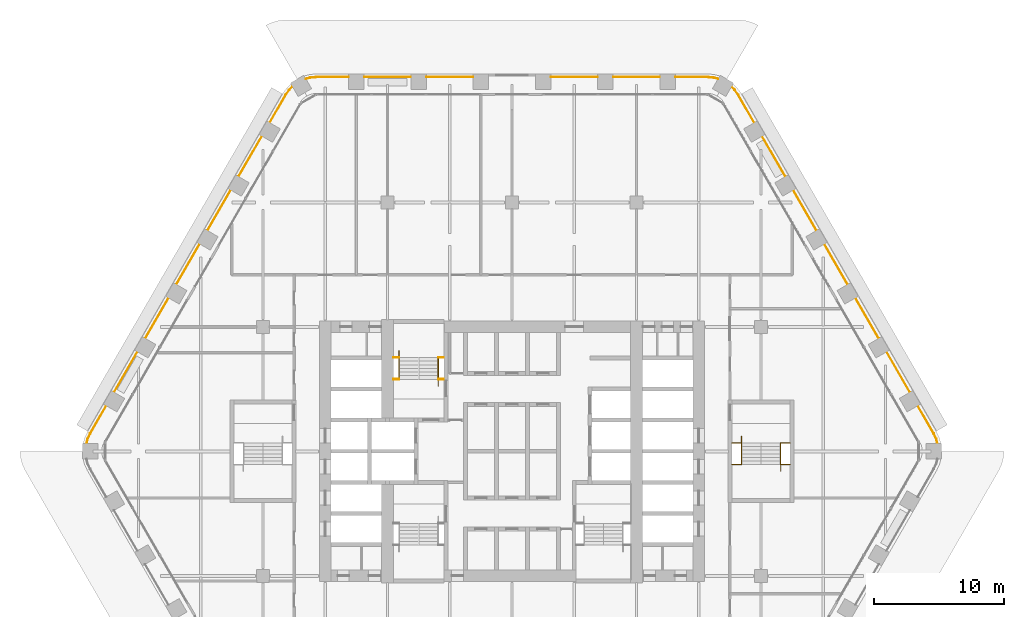
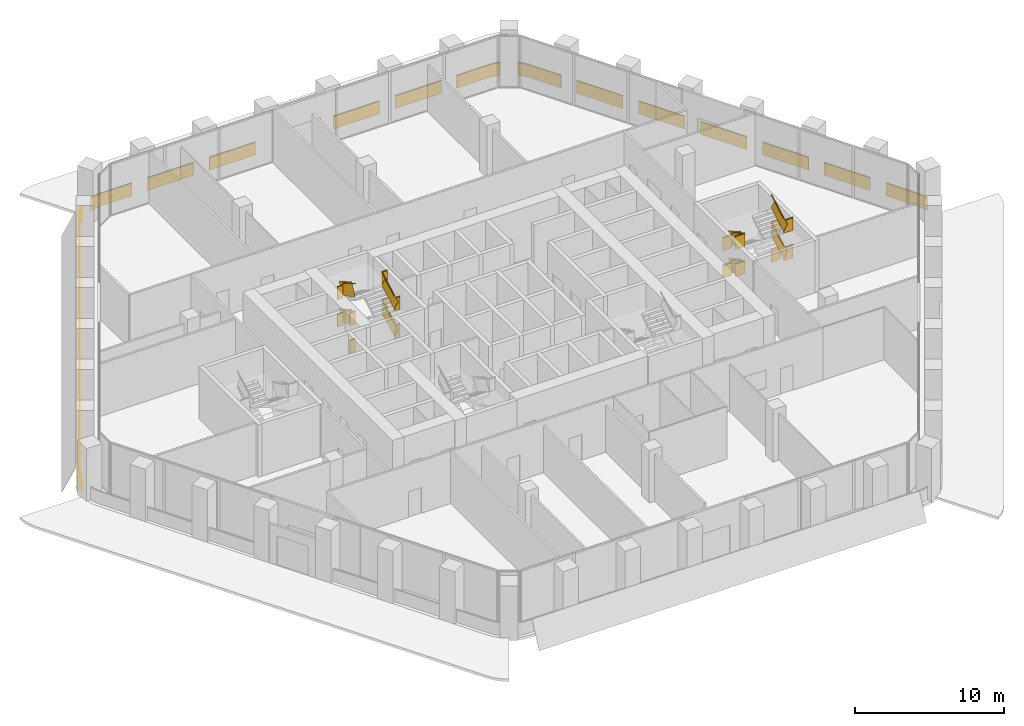
# One storey, part 23 of 23: 7 railings.
"""IFC4 building model written with IfcOpenShell, lengths in metres."""

from ifc_helpers import new_model, si_unit, direction, frame, frame_2d, origin, origin_2d, place, context, subcontext, project, spatial, rectangle, extrude, material, type_object, element, save


model = new_model("IFC4")

# Units and contexts
model_context = context("Model", 3, precision=1e-05, world=origin(), true_north=direction((0.0, 1.0)))
body_context = subcontext(model_context, "Body", "Model", "MODEL_VIEW")
ifc_project = project(units=[si_unit("LENGTHUNIT", "METRE"), si_unit("AREAUNIT", "SQUARE_METRE"), si_unit("VOLUMEUNIT", "CUBIC_METRE"), si_unit("PLANEANGLEUNIT", "RADIAN"), si_unit("MASSUNIT", "GRAM", prefix="KILO")], contexts=[model_context])

# Site, building, storey
site_placement = place(None, origin())
site = spatial("IfcSite", under=ifc_project, at=site_placement, CompositionType="ELEMENT")
building_placement = place(site_placement, origin())
building = spatial("IfcBuilding", under=site, at=building_placement, Name="Kolab Exchange Tower", CompositionType="ELEMENT")
storey_placement = place(building_placement, frame((0.0, 0.0, 77.89990234375)))
storey = spatial("IfcBuildingStorey", under=building, at=storey_placement, Name="L14", CompositionType="ELEMENT", Elevation=77.89990234375)

# Railings
ifc_material_1 = material(Name="Stainless steel 316", Category="steel")
railing_type_1 = type_object("IfcRailingType", Name="GUARD 1100", PredefinedType="GUARDRAIL", material=ifc_material_1)
railing_1_placement = place(storey_placement, frame((-9.14990234375, 5.550048828125, 0.0)))
element("IfcRailing", 1, at=railing_1_placement, inside=storey, type_object=railing_type_1, Name="Guard ST1", PredefinedType="GUARDRAIL", context=body_context, shape_type="SweptSolid", body=[
    extrude(rectangle(XDim=0.05, YDim=0.05, at=origin_2d()), frame((0.0, 0.0, 1.0751953125), z_axis=(1.0, 0.0, 0.0), x_axis=(0.0, 1.0, 0.0)), (0.0, 0.0, 1.0), 0.43994140625),
    extrude(rectangle(XDim=0.012, YDim=1.05009765625, at=frame_2d((0.0, 0.525146484375))), frame((0.0, 0.0, 0.0), z_axis=(1.0, 0.0, 0.0), x_axis=(0.0, 1.0, 0.0)), (0.0, 0.0, 1.0), 0.43994140625),
    extrude(rectangle(XDim=0.05, YDim=0.05, at=origin_2d()), frame((3.4599609375, 0.0, 1.0751953125), z_axis=(1.0, 0.0, 0.0), x_axis=(0.0, 1.0, 0.0)), (0.0, 0.0, 1.0), 0.43994140625),
    extrude(rectangle(XDim=0.012, YDim=1.05009765625, at=frame_2d((0.0, 0.525146484375))), frame((3.4599609375, 0.0, 0.0), z_axis=(1.0, 0.0, 0.0), x_axis=(0.0, 1.0, 0.0)), (0.0, 0.0, 1.0), 0.43994140625),
    extrude(rectangle(XDim=0.05, YDim=0.05, at=origin_2d()), frame((0.0, 1.679931640625, 2.2001953125), z_axis=(1.0, 0.0, 0.0), x_axis=(0.0, 1.0, 0.0)), (0.0, 0.0, 1.0), 0.43994140625),
    extrude(rectangle(XDim=0.012, YDim=1.05009765625, at=frame_2d((0.0, 0.525146484375))), frame((0.0, 1.679931640625, 1.125), z_axis=(1.0, 0.0, 0.0), x_axis=(0.0, 1.0, 0.0)), (0.0, 0.0, 1.0), 0.43994140625),
    extrude(rectangle(XDim=0.05, YDim=0.05, at=origin_2d()), frame((3.4599609375, 1.679931640625, 2.2001953125), z_axis=(1.0, 0.0, 0.0), x_axis=(0.0, 1.0, 0.0)), (0.0, 0.0, 1.0), 0.43994140625),
    extrude(rectangle(XDim=0.012, YDim=1.05009765625, at=frame_2d((0.0, 0.525146484375))), frame((3.4599609375, 1.679931640625, 1.125), z_axis=(1.0, 0.0, 0.0), x_axis=(0.0, 1.0, 0.0)), (0.0, 0.0, 1.0), 0.43994140625),
    extrude(rectangle(XDim=0.05, YDim=0.05, at=origin_2d()), frame((0.0, 0.0, 3.3251953125), z_axis=(1.0, 0.0, 0.0), x_axis=(0.0, 1.0, 0.0)), (0.0, 0.0, 1.0), 0.43994140625),
    extrude(rectangle(XDim=0.012, YDim=1.05009765625, at=frame_2d((0.0, 0.525146484375))), frame((0.0, 0.0, 2.25), z_axis=(1.0, 0.0, 0.0), x_axis=(0.0, 1.0, 0.0)), (0.0, 0.0, 1.0), 0.43994140625),
    extrude(rectangle(XDim=0.05, YDim=0.05, at=origin_2d()), frame((3.4599609375, 0.0, 3.3251953125), z_axis=(1.0, 0.0, 0.0), x_axis=(0.0, 1.0, 0.0)), (0.0, 0.0, 1.0), 0.43994140625),
    extrude(rectangle(XDim=0.012, YDim=1.05009765625, at=frame_2d((0.0, 0.525146484375))), frame((3.4599609375, 0.0, 2.25), z_axis=(1.0, 0.0, 0.0), x_axis=(0.0, 1.0, 0.0)), (0.0, 0.0, 1.0), 0.43994140625),
    extrude(rectangle(XDim=0.05, YDim=0.05, at=origin_2d()), frame((0.0, 1.679931640625, 4.4501953125), z_axis=(1.0, 0.0, 0.0), x_axis=(0.0, 1.0, 0.0)), (0.0, 0.0, 1.0), 0.43994140625),
    extrude(rectangle(XDim=0.012, YDim=1.05009765625, at=frame_2d((0.0, 0.525146484375))), frame((0.0, 1.679931640625, 3.375), z_axis=(1.0, 0.0, 0.0), x_axis=(0.0, 1.0, 0.0)), (0.0, 0.0, 1.0), 0.43994140625),
    extrude(rectangle(XDim=0.05, YDim=0.05, at=origin_2d()), frame((3.4599609375, 1.679931640625, 4.4501953125), z_axis=(1.0, 0.0, 0.0), x_axis=(0.0, 1.0, 0.0)), (0.0, 0.0, 1.0), 0.43994140625),
    extrude(rectangle(XDim=0.012, YDim=1.05009765625, at=frame_2d((0.0, 0.525146484375))), frame((3.4599609375, 1.679931640625, 3.375), z_axis=(1.0, 0.0, 0.0), x_axis=(0.0, 1.0, 0.0)), (0.0, 0.0, 1.0), 0.43994140625),
])
railing_2_placement = place(storey_placement, frame((-5.68994140625, 5.550048828125, 0.160888671875)))
element("IfcRailing", 2, at=railing_2_placement, inside=storey, type_object=railing_type_1, Name="Handrail guard ST1", PredefinedType="GUARDRAIL", context=body_context, shape_type="SweptSolid", body=[
    extrude(rectangle(XDim=0.05, YDim=0.05, at=origin_2d()), frame((0.0, 0.0, 1.0751953125), z_axis=(0.0, 0.867318599139, 0.497753400378), x_axis=(-1.0, 0.0, 0.0)), (0.0, 0.0, 1.0), 1.93701171875),
    extrude(rectangle(XDim=0.012, YDim=1.05009765625, at=frame_2d((0.0, 0.525146484375))), frame((0.0, 0.0, 0.0), z_axis=(0.0, 0.867318599139, 0.497753400378), x_axis=(-1.0, 0.0, 0.0)), (0.0, 0.0, 1.0), 1.93701171875),
    extrude(rectangle(XDim=0.05, YDim=0.05, at=origin_2d()), frame((-3.02001953125, 1.679931640625, 2.2001953125), z_axis=(0.0, -0.867318599139, 0.497753400378), x_axis=(1.0, 0.0, 0.0)), (0.0, 0.0, 1.0), 1.93701171875),
    extrude(rectangle(XDim=0.012, YDim=1.05009765625, at=frame_2d((0.0, 0.525146484375))), frame((-3.02001953125, 1.679931640625, 1.125), z_axis=(0.0, -0.867318599139, 0.497753400378), x_axis=(1.0, 0.0, 0.0)), (0.0, 0.0, 1.0), 1.93701171875),
    extrude(rectangle(XDim=0.05, YDim=0.05, at=origin_2d()), frame((0.0, 0.0, 3.3251953125), z_axis=(0.0, 0.867318599139, 0.497753400378), x_axis=(-1.0, 0.0, 0.0)), (0.0, 0.0, 1.0), 1.93701171875),
    extrude(rectangle(XDim=0.012, YDim=1.05009765625, at=frame_2d((0.0, 0.525146484375))), frame((0.0, 0.0, 2.25), z_axis=(0.0, 0.867318599139, 0.497753400378), x_axis=(-1.0, 0.0, 0.0)), (0.0, 0.0, 1.0), 1.93701171875),
    extrude(rectangle(XDim=0.05, YDim=0.05, at=origin_2d()), frame((-3.02001953125, 1.679931640625, 4.4501953125), z_axis=(0.0, -0.867318599139, 0.497753400378), x_axis=(1.0, 0.0, 0.0)), (0.0, 0.0, 1.0), 1.93701171875),
    extrude(rectangle(XDim=0.012, YDim=1.05009765625, at=frame_2d((0.0, 0.525146484375))), frame((-3.02001953125, 1.679931640625, 3.375), z_axis=(0.0, -0.867318599139, 0.497753400378), x_axis=(1.0, 0.0, 0.0)), (0.0, 0.0, 1.0), 1.93701171875),
])
railing_3_placement = place(storey_placement, frame((16.949951171875, 0.64990234375, 0.0)))
element("IfcRailing", 3, at=railing_3_placement, inside=storey, type_object=railing_type_1, Name="Guard ST4", PredefinedType="GUARDRAIL", context=body_context, shape_type="SweptSolid", body=[
    extrude(rectangle(XDim=0.05, YDim=0.05, at=origin_2d()), frame((0.0, 0.0, 1.0751953125), z_axis=(1.0, 0.0, 0.0), x_axis=(0.0, 1.0, 0.0)), (0.0, 0.0, 1.0), 0.739990234375),
    extrude(rectangle(XDim=0.012, YDim=1.05009765625, at=frame_2d((0.0, 0.525146484375))), frame((0.0, 0.0, 0.0), z_axis=(1.0, 0.0, 0.0), x_axis=(0.0, 1.0, 0.0)), (0.0, 0.0, 1.0), 0.739990234375),
    extrude(rectangle(XDim=0.05, YDim=0.05, at=origin_2d()), frame((3.760009765625, 0.0, 1.0751953125), z_axis=(1.0, 0.0, 0.0), x_axis=(0.0, 1.0, 0.0)), (0.0, 0.0, 1.0), 0.739990234375),
    extrude(rectangle(XDim=0.012, YDim=1.05009765625, at=frame_2d((0.0, 0.525146484375))), frame((3.760009765625, 0.0, 0.0), z_axis=(1.0, 0.0, 0.0), x_axis=(0.0, 1.0, 0.0)), (0.0, 0.0, 1.0), 0.739990234375),
    extrude(rectangle(XDim=0.05, YDim=0.05, at=origin_2d()), frame((0.0, -1.679931640625, 2.2001953125), z_axis=(1.0, 0.0, 0.0), x_axis=(0.0, 1.0, 0.0)), (0.0, 0.0, 1.0), 0.739990234375),
    extrude(rectangle(XDim=0.012, YDim=1.05009765625, at=frame_2d((0.0, 0.525146484375))), frame((0.0, -1.679931640625, 1.125), z_axis=(1.0, 0.0, 0.0), x_axis=(0.0, 1.0, 0.0)), (0.0, 0.0, 1.0), 0.739990234375),
    extrude(rectangle(XDim=0.05, YDim=0.05, at=origin_2d()), frame((3.760009765625, -1.679931640625, 2.2001953125), z_axis=(1.0, 0.0, 0.0), x_axis=(0.0, 1.0, 0.0)), (0.0, 0.0, 1.0), 0.739990234375),
    extrude(rectangle(XDim=0.012, YDim=1.05009765625, at=frame_2d((0.0, 0.525146484375))), frame((3.760009765625, -1.679931640625, 1.125), z_axis=(1.0, 0.0, 0.0), x_axis=(0.0, 1.0, 0.0)), (0.0, 0.0, 1.0), 0.739990234375),
    extrude(rectangle(XDim=0.05, YDim=0.05, at=origin_2d()), frame((0.0, 0.0, 3.3251953125), z_axis=(1.0, 0.0, 0.0), x_axis=(0.0, 1.0, 0.0)), (0.0, 0.0, 1.0), 0.739990234375),
    extrude(rectangle(XDim=0.012, YDim=1.05009765625, at=frame_2d((0.0, 0.525146484375))), frame((0.0, 0.0, 2.25), z_axis=(1.0, 0.0, 0.0), x_axis=(0.0, 1.0, 0.0)), (0.0, 0.0, 1.0), 0.739990234375),
    extrude(rectangle(XDim=0.05, YDim=0.05, at=origin_2d()), frame((3.760009765625, 0.0, 3.3251953125), z_axis=(1.0, 0.0, 0.0), x_axis=(0.0, 1.0, 0.0)), (0.0, 0.0, 1.0), 0.739990234375),
    extrude(rectangle(XDim=0.012, YDim=1.05009765625, at=frame_2d((0.0, 0.525146484375))), frame((3.760009765625, 0.0, 2.25), z_axis=(1.0, 0.0, 0.0), x_axis=(0.0, 1.0, 0.0)), (0.0, 0.0, 1.0), 0.739990234375),
    extrude(rectangle(XDim=0.05, YDim=0.05, at=origin_2d()), frame((0.0, -1.679931640625, 4.4501953125), z_axis=(1.0, 0.0, 0.0), x_axis=(0.0, 1.0, 0.0)), (0.0, 0.0, 1.0), 0.739990234375),
    extrude(rectangle(XDim=0.012, YDim=1.05009765625, at=frame_2d((0.0, 0.525146484375))), frame((0.0, -1.679931640625, 3.375), z_axis=(1.0, 0.0, 0.0), x_axis=(0.0, 1.0, 0.0)), (0.0, 0.0, 1.0), 0.739990234375),
    extrude(rectangle(XDim=0.05, YDim=0.05, at=origin_2d()), frame((3.760009765625, -1.679931640625, 4.4501953125), z_axis=(1.0, 0.0, 0.0), x_axis=(0.0, 1.0, 0.0)), (0.0, 0.0, 1.0), 0.739990234375),
    extrude(rectangle(XDim=0.012, YDim=1.05009765625, at=frame_2d((0.0, 0.525146484375))), frame((3.760009765625, -1.679931640625, 3.375), z_axis=(1.0, 0.0, 0.0), x_axis=(0.0, 1.0, 0.0)), (0.0, 0.0, 1.0), 0.739990234375),
])
railing_4_placement = place(storey_placement, frame((17.68994140625, 0.64990234375, 0.160888671875)))
element("IfcRailing", 4, at=railing_4_placement, inside=storey, type_object=railing_type_1, Name="Handrail guard ST4", PredefinedType="GUARDRAIL", context=body_context, shape_type="SweptSolid", body=[
    extrude(rectangle(XDim=0.05, YDim=0.05, at=origin_2d()), frame((0.0, 0.0, 1.0751953125), z_axis=(0.0, -0.867318599139, 0.497753400378), x_axis=(1.0, 0.0, 0.0)), (0.0, 0.0, 1.0), 1.93701171875),
    extrude(rectangle(XDim=0.012, YDim=1.05009765625, at=frame_2d((0.0, 0.525146484375))), frame((0.0, 0.0, 0.0), z_axis=(0.0, -0.867318599139, 0.497753400378), x_axis=(1.0, 0.0, 0.0)), (0.0, 0.0, 1.0), 1.93701171875),
    extrude(rectangle(XDim=0.05, YDim=0.05, at=origin_2d()), frame((3.02001953125, -1.679931640625, 2.2001953125), z_axis=(0.0, 0.867318599139, 0.497753400378), x_axis=(-1.0, 0.0, 0.0)), (0.0, 0.0, 1.0), 1.93701171875),
    extrude(rectangle(XDim=0.012, YDim=1.05009765625, at=frame_2d((0.0, 0.525146484375))), frame((3.02001953125, -1.679931640625, 1.125), z_axis=(0.0, 0.867318599139, 0.497753400378), x_axis=(-1.0, 0.0, 0.0)), (0.0, 0.0, 1.0), 1.93701171875),
    extrude(rectangle(XDim=0.05, YDim=0.05, at=origin_2d()), frame((0.0, 0.0, 3.3251953125), z_axis=(0.0, -0.867318599139, 0.497753400378), x_axis=(1.0, 0.0, 0.0)), (0.0, 0.0, 1.0), 1.93701171875),
    extrude(rectangle(XDim=0.012, YDim=1.05009765625, at=frame_2d((0.0, 0.525146484375))), frame((0.0, 0.0, 2.25), z_axis=(0.0, -0.867318599139, 0.497753400378), x_axis=(1.0, 0.0, 0.0)), (0.0, 0.0, 1.0), 1.93701171875),
    extrude(rectangle(XDim=0.05, YDim=0.05, at=origin_2d()), frame((3.02001953125, -1.679931640625, 4.4501953125), z_axis=(0.0, 0.867318599139, 0.497753400378), x_axis=(-1.0, 0.0, 0.0)), (0.0, 0.0, 1.0), 1.93701171875),
    extrude(rectangle(XDim=0.012, YDim=1.05009765625, at=frame_2d((0.0, 0.525146484375))), frame((3.02001953125, -1.679931640625, 3.375), z_axis=(0.0, 0.867318599139, 0.497753400378), x_axis=(-1.0, 0.0, 0.0)), (0.0, 0.0, 1.0), 1.93701171875),
])
ifc_material_2 = material(Name="Steel S235", Category="steel")
railing_type_2 = type_object("IfcRailingType", Name="GUARD 1100 GLASS BALUSTRADE AND STEEL TOP RAIL", PredefinedType="GUARDRAIL", material=ifc_material_2)
railing_5_placement = place(storey_placement, frame((15.89208984375, 28.7138671875, 0.0)))
element("IfcRailing", 5, at=railing_5_placement, inside=storey, type_object=railing_type_2, Name="Guard", PredefinedType="GUARDRAIL", context=body_context, shape_type="SweptSolid", body=[
    extrude(rectangle(XDim=0.05, YDim=0.05, at=origin_2d()), frame((0.0, 0.0, 1.0751953125), z_axis=(-0.966008746817, 0.258509382951, 0.0), x_axis=(-0.258509382951, -0.966008746817, 0.0)), (0.0, 0.0, 1.0), 0.35888671875),
    extrude(rectangle(XDim=0.012, YDim=1.05009765625, at=frame_2d((0.0, 0.525146484375))), frame((0.0, 0.0, 0.0), z_axis=(-0.966008746817, 0.258509382951, 0.0), x_axis=(-0.258509382951, -0.966008746817, 0.0)), (0.0, 0.0, 1.0), 0.35888671875),
    extrude(rectangle(XDim=0.05, YDim=0.05, at=origin_2d()), frame((-0.3466796875, 0.0927734375, 1.0751953125), z_axis=(-0.996200348447, 0.087091134757, 0.0), x_axis=(-0.087091134757, -0.996200348447, 0.0)), (0.0, 0.0, 1.0), 0.479248046875),
    extrude(rectangle(XDim=0.012, YDim=1.05009765625, at=frame_2d((0.0, 0.525146484375))), frame((-0.3466796875, 0.0927734375, 0.0), z_axis=(-0.996200348447, 0.087091134757, 0.0), x_axis=(-0.087091134757, -0.996200348447, 0.0)), (0.0, 0.0, 1.0), 0.479248046875),
    extrude(rectangle(XDim=0.05, YDim=0.05, at=origin_2d()), frame((-0.82421875, 0.134521484375, 1.0751953125), z_axis=(-1.0, 0.0, 0.0), x_axis=(0.0, -1.0, 0.0)), (0.0, 0.0, 1.0), 2.4677734375),
    extrude(rectangle(XDim=0.012, YDim=1.05009765625, at=frame_2d((0.0, 0.525146484375))), frame((-0.82421875, 0.134521484375, 0.0), z_axis=(-1.0, 0.0, 0.0), x_axis=(0.0, -1.0, 0.0)), (0.0, 0.0, 1.0), 2.4677734375),
    extrude(rectangle(XDim=0.05, YDim=0.05, at=origin_2d()), frame((-4.4921875, 0.134521484375, 1.0751953125), z_axis=(-1.0, 0.0, 0.0), x_axis=(0.0, -1.0, 0.0)), (0.0, 0.0, 1.0), 3.599853515625),
    extrude(rectangle(XDim=0.012, YDim=1.05009765625, at=frame_2d((0.0, 0.525146484375))), frame((-4.4921875, 0.134521484375, 0.0), z_axis=(-1.0, 0.0, 0.0), x_axis=(0.0, -1.0, 0.0)), (0.0, 0.0, 1.0), 3.599853515625),
    extrude(rectangle(XDim=0.05, YDim=0.05, at=origin_2d()), frame((-9.2919921875, 0.134521484375, 1.0751953125), z_axis=(-1.0, 0.0, 0.0), x_axis=(0.0, -1.0, 0.0)), (0.0, 0.0, 1.0), 3.60009765625),
    extrude(rectangle(XDim=0.012, YDim=1.05009765625, at=frame_2d((0.0, 0.525146484375))), frame((-9.2919921875, 0.134521484375, 0.0), z_axis=(-1.0, 0.0, 0.0), x_axis=(0.0, -1.0, 0.0)), (0.0, 0.0, 1.0), 3.60009765625),
    extrude(rectangle(XDim=0.05, YDim=0.05, at=origin_2d()), frame((-18.89208984375, 0.134521484375, 1.0751953125), z_axis=(-1.0, 0.0, 0.0), x_axis=(0.0, -1.0, 0.0)), (0.0, 0.0, 1.0), 3.60009765625),
    extrude(rectangle(XDim=0.012, YDim=1.05009765625, at=frame_2d((0.0, 0.525146484375))), frame((-18.89208984375, 0.134521484375, 0.0), z_axis=(-1.0, 0.0, 0.0), x_axis=(0.0, -1.0, 0.0)), (0.0, 0.0, 1.0), 3.60009765625),
    extrude(rectangle(XDim=0.05, YDim=0.05, at=origin_2d()), frame((-23.692138671875, 0.134521484375, 1.0751953125), z_axis=(-1.0, 0.0, 0.0), x_axis=(0.0, -1.0, 0.0)), (0.0, 0.0, 1.0), 3.599853515625),
    extrude(rectangle(XDim=0.012, YDim=1.05009765625, at=frame_2d((0.0, 0.525146484375))), frame((-23.692138671875, 0.134521484375, 0.0), z_axis=(-1.0, 0.0, 0.0), x_axis=(0.0, -1.0, 0.0)), (0.0, 0.0, 1.0), 3.599853515625),
    extrude(rectangle(XDim=0.05, YDim=0.05, at=origin_2d()), frame((-28.4921875, 0.134521484375, 1.0751953125), z_axis=(-1.0, 0.0, 0.0), x_axis=(0.0, -1.0, 0.0)), (0.0, 0.0, 1.0), 2.4677734375),
    extrude(rectangle(XDim=0.012, YDim=1.05009765625, at=frame_2d((0.0, 0.525146484375))), frame((-28.4921875, 0.134521484375, 0.0), z_axis=(-1.0, 0.0, 0.0), x_axis=(0.0, -1.0, 0.0)), (0.0, 0.0, 1.0), 2.4677734375),
    extrude(rectangle(XDim=0.05, YDim=0.05, at=origin_2d()), frame((-30.9599609375, 0.134521484375, 1.0751953125), z_axis=(-0.996200348447, -0.087091134757, 0.0), x_axis=(0.087091134757, -0.996200348447, 0.0)), (0.0, 0.0, 1.0), 0.479248046875),
    extrude(rectangle(XDim=0.012, YDim=1.05009765625, at=frame_2d((0.0, 0.525146484375))), frame((-30.9599609375, 0.134521484375, 0.0), z_axis=(-0.996200348447, -0.087091134757, 0.0), x_axis=(0.087091134757, -0.996200348447, 0.0)), (0.0, 0.0, 1.0), 0.479248046875),
    extrude(rectangle(XDim=0.05, YDim=0.05, at=origin_2d()), frame((-31.4375, 0.0927734375, 1.0751953125), z_axis=(-0.966008746817, -0.258509382951, 0.0), x_axis=(0.258509382951, -0.966008746817, 0.0)), (0.0, 0.0, 1.0), 0.35888671875),
    extrude(rectangle(XDim=0.012, YDim=1.05009765625, at=frame_2d((0.0, 0.525146484375))), frame((-31.4375, 0.0927734375, 0.0), z_axis=(-0.966008746817, -0.258509382951, 0.0), x_axis=(0.258509382951, -0.966008746817, 0.0)), (0.0, 0.0, 1.0), 0.35888671875),
])
railing_6_placement = place(storey_placement, frame((32.81298828125, 0.593994140625, 0.0)))
element("IfcRailing", 6, at=railing_6_placement, inside=storey, type_object=railing_type_2, Name="Guard", PredefinedType="GUARDRAIL", context=body_context, shape_type="SweptSolid", body=[
    extrude(rectangle(XDim=0.05, YDim=0.05, at=origin_2d()), frame((0.0, 0.0, 1.0751953125), z_axis=(-0.259144041577, 0.965838685141, 0.0), x_axis=(-0.965838685141, -0.259144041577, 0.0)), (0.0, 0.0, 1.0), 0.35888671875),
    extrude(rectangle(XDim=0.012, YDim=1.05009765625, at=frame_2d((0.0, 0.525146484375))), frame((0.0, 0.0, 0.0), z_axis=(-0.259144041577, 0.965838685141, 0.0), x_axis=(-0.965838685141, -0.259144041577, 0.0)), (0.0, 0.0, 1.0), 0.35888671875),
    extrude(rectangle(XDim=0.05, YDim=0.05, at=origin_2d()), frame((-0.093017578125, 0.3466796875, 1.0751953125), z_axis=(-0.422383329074, 0.906417300872, 0.0), x_axis=(-0.906417300872, -0.422383329074, 0.0)), (0.0, 0.0, 1.0), 0.479248046875),
    extrude(rectangle(XDim=0.012, YDim=1.05009765625, at=frame_2d((0.0, 0.525146484375))), frame((-0.093017578125, 0.3466796875, 0.0), z_axis=(-0.422383329074, 0.906417300872, 0.0), x_axis=(-0.906417300872, -0.422383329074, 0.0)), (0.0, 0.0, 1.0), 0.479248046875),
    extrude(rectangle(XDim=0.05, YDim=0.05, at=origin_2d()), frame((-0.29541015625, 0.781005859375, 1.0751953125), z_axis=(-0.500064973171, 0.865987888257, 0.0), x_axis=(-0.865987888257, -0.500064973171, 0.0)), (0.0, 0.0, 1.0), 2.468017578125),
    extrude(rectangle(XDim=0.012, YDim=1.05009765625, at=frame_2d((0.0, 0.525146484375))), frame((-0.29541015625, 0.781005859375, 0.0), z_axis=(-0.500064973171, 0.865987888257, 0.0), x_axis=(-0.865987888257, -0.500064973171, 0.0)), (0.0, 0.0, 1.0), 2.468017578125),
    extrude(rectangle(XDim=0.05, YDim=0.05, at=origin_2d()), frame((-2.12939453125, 3.95751953125, 1.0751953125), z_axis=(-0.500012057535, 0.866018442252, 0.0), x_axis=(-0.866018442252, -0.500012057535, 0.0)), (0.0, 0.0, 1.0), 3.60009765625),
    extrude(rectangle(XDim=0.012, YDim=1.05009765625, at=frame_2d((0.0, 0.525146484375))), frame((-2.12939453125, 3.95751953125, 0.0), z_axis=(-0.500012057535, 0.866018442252, 0.0), x_axis=(-0.866018442252, -0.500012057535, 0.0)), (0.0, 0.0, 1.0), 3.60009765625),
    extrude(rectangle(XDim=0.05, YDim=0.05, at=origin_2d()), frame((-4.529541015625, 8.114501953125, 1.0751953125), z_axis=(-0.500012057535, 0.866018442252, 0.0), x_axis=(-0.866018442252, -0.500012057535, 0.0)), (0.0, 0.0, 1.0), 3.60009765625),
    extrude(rectangle(XDim=0.012, YDim=1.05009765625, at=frame_2d((0.0, 0.525146484375))), frame((-4.529541015625, 8.114501953125, 0.0), z_axis=(-0.500012057535, 0.866018442252, 0.0), x_axis=(-0.866018442252, -0.500012057535, 0.0)), (0.0, 0.0, 1.0), 3.60009765625),
    extrude(rectangle(XDim=0.05, YDim=0.05, at=origin_2d()), frame((-6.929443359375, 12.271484375, 1.0751953125), z_axis=(-0.500012057535, 0.866018442252, 0.0), x_axis=(-0.866018442252, -0.500012057535, 0.0)), (0.0, 0.0, 1.0), 3.60009765625),
    extrude(rectangle(XDim=0.012, YDim=1.05009765625, at=frame_2d((0.0, 0.525146484375))), frame((-6.929443359375, 12.271484375, 0.0), z_axis=(-0.500012057535, 0.866018442252, 0.0), x_axis=(-0.866018442252, -0.500012057535, 0.0)), (0.0, 0.0, 1.0), 3.60009765625),
    extrude(rectangle(XDim=0.05, YDim=0.05, at=origin_2d()), frame((-9.32958984375, 16.42822265625, 1.0751953125), z_axis=(-0.499961193289, 0.866047807691, 0.0), x_axis=(-0.866047807691, -0.499961193289, 0.0)), (0.0, 0.0, 1.0), 3.599853515625),
    extrude(rectangle(XDim=0.012, YDim=1.05009765625, at=frame_2d((0.0, 0.525146484375))), frame((-9.32958984375, 16.42822265625, 0.0), z_axis=(-0.499961193289, 0.866047807691, 0.0), x_axis=(-0.866047807691, -0.499961193289, 0.0)), (0.0, 0.0, 1.0), 3.599853515625),
    extrude(rectangle(XDim=0.05, YDim=0.05, at=origin_2d()), frame((-11.7294921875, 20.585205078125, 1.0751953125), z_axis=(-0.500012057535, 0.866018442252, 0.0), x_axis=(-0.866018442252, -0.500012057535, 0.0)), (0.0, 0.0, 1.0), 3.60009765625),
    extrude(rectangle(XDim=0.012, YDim=1.05009765625, at=frame_2d((0.0, 0.525146484375))), frame((-11.7294921875, 20.585205078125, 0.0), z_axis=(-0.500012057535, 0.866018442252, 0.0), x_axis=(-0.866018442252, -0.500012057535, 0.0)), (0.0, 0.0, 1.0), 3.60009765625),
    extrude(rectangle(XDim=0.05, YDim=0.05, at=origin_2d()), frame((-14.12939453125, 24.7421875, 1.0751953125), z_axis=(-0.500064973171, 0.865987888257, 0.0), x_axis=(-0.865987888257, -0.500064973171, 0.0)), (0.0, 0.0, 1.0), 2.468017578125),
    extrude(rectangle(XDim=0.012, YDim=1.05009765625, at=frame_2d((0.0, 0.525146484375))), frame((-14.12939453125, 24.7421875, 0.0), z_axis=(-0.500064973171, 0.865987888257, 0.0), x_axis=(-0.865987888257, -0.500064973171, 0.0)), (0.0, 0.0, 1.0), 2.468017578125),
    extrude(rectangle(XDim=0.05, YDim=0.05, at=origin_2d()), frame((-15.363525390625, 26.87939453125, 1.0751953125), z_axis=(-0.573359816273, 0.819303680624, 0.0), x_axis=(-0.819303680624, -0.573359816273, 0.0)), (0.0, 0.0, 1.0), 0.4794921875),
    extrude(rectangle(XDim=0.012, YDim=1.05009765625, at=frame_2d((0.0, 0.525146484375))), frame((-15.363525390625, 26.87939453125, 0.0), z_axis=(-0.573359816273, 0.819303680624, 0.0), x_axis=(-0.819303680624, -0.573359816273, 0.0)), (0.0, 0.0, 1.0), 0.4794921875),
    extrude(rectangle(XDim=0.05, YDim=0.05, at=origin_2d()), frame((-15.638427734375, 27.272216796875, 1.0751953125), z_axis=(-0.707106781187, 0.707106781187, 0.0), x_axis=(-0.707106781187, -0.707106781187, 0.0)), (0.0, 0.0, 1.0), 0.358642578125),
    extrude(rectangle(XDim=0.012, YDim=1.05009765625, at=frame_2d((0.0, 0.525146484375))), frame((-15.638427734375, 27.272216796875, 0.0), z_axis=(-0.707106781187, 0.707106781187, 0.0), x_axis=(-0.707106781187, -0.707106781187, 0.0)), (0.0, 0.0, 1.0), 0.358642578125),
])
railing_7_placement = place(storey_placement, frame((-16.9208984375, 28.119873046875, 0.0)))
element("IfcRailing", 7, at=railing_7_placement, inside=storey, type_object=railing_type_2, Name="Guard", PredefinedType="GUARDRAIL", context=body_context, shape_type="SweptSolid", body=[
    extrude(rectangle(XDim=0.05, YDim=0.05, at=origin_2d()), frame((0.0, 0.0, 1.0751953125), z_axis=(-0.707106781187, -0.707106781187, 0.0), x_axis=(0.707106781187, -0.707106781187, 0.0)), (0.0, 0.0, 1.0), 0.358642578125),
    extrude(rectangle(XDim=0.012, YDim=1.05009765625, at=frame_2d((0.0, 0.525146484375))), frame((0.0, 0.0, 0.0), z_axis=(-0.707106781187, -0.707106781187, 0.0), x_axis=(0.707106781187, -0.707106781187, 0.0)), (0.0, 0.0, 1.0), 0.358642578125),
    extrude(rectangle(XDim=0.05, YDim=0.05, at=origin_2d()), frame((-0.253662109375, -0.253662109375, 1.0751953125), z_axis=(-0.573359816273, -0.819303680624, 0.0), x_axis=(0.819303680624, -0.573359816273, 0.0)), (0.0, 0.0, 1.0), 0.4794921875),
    extrude(rectangle(XDim=0.012, YDim=1.05009765625, at=frame_2d((0.0, 0.525146484375))), frame((-0.253662109375, -0.253662109375, 0.0), z_axis=(-0.573359816273, -0.819303680624, 0.0), x_axis=(0.819303680624, -0.573359816273, 0.0)), (0.0, 0.0, 1.0), 0.4794921875),
    extrude(rectangle(XDim=0.05, YDim=0.05, at=origin_2d()), frame((-0.528564453125, -0.646484375, 1.0751953125), z_axis=(-0.500064973171, -0.865987888257, 0.0), x_axis=(0.865987888257, -0.500064973171, 0.0)), (0.0, 0.0, 1.0), 2.468017578125),
    extrude(rectangle(XDim=0.012, YDim=1.05009765625, at=frame_2d((0.0, 0.525146484375))), frame((-0.528564453125, -0.646484375, 0.0), z_axis=(-0.500064973171, -0.865987888257, 0.0), x_axis=(0.865987888257, -0.500064973171, 0.0)), (0.0, 0.0, 1.0), 2.468017578125),
    extrude(rectangle(XDim=0.05, YDim=0.05, at=origin_2d()), frame((-2.362548828125, -3.822998046875, 1.0751953125), z_axis=(-0.500012057535, -0.866018442252, 0.0), x_axis=(0.866018442252, -0.500012057535, 0.0)), (0.0, 0.0, 1.0), 3.60009765625),
    extrude(rectangle(XDim=0.012, YDim=1.05009765625, at=frame_2d((0.0, 0.525146484375))), frame((-2.362548828125, -3.822998046875, 0.0), z_axis=(-0.500012057535, -0.866018442252, 0.0), x_axis=(0.866018442252, -0.500012057535, 0.0)), (0.0, 0.0, 1.0), 3.60009765625),
    extrude(rectangle(XDim=0.05, YDim=0.05, at=origin_2d()), frame((-4.7626953125, -7.97998046875, 1.0751953125), z_axis=(-0.499961193289, -0.866047807691, 0.0), x_axis=(0.866047807691, -0.499961193289, 0.0)), (0.0, 0.0, 1.0), 3.599853515625),
    extrude(rectangle(XDim=0.012, YDim=1.05009765625, at=frame_2d((0.0, 0.525146484375))), frame((-4.7626953125, -7.97998046875, 0.0), z_axis=(-0.499961193289, -0.866047807691, 0.0), x_axis=(0.866047807691, -0.499961193289, 0.0)), (0.0, 0.0, 1.0), 3.599853515625),
    extrude(rectangle(XDim=0.05, YDim=0.05, at=origin_2d()), frame((-7.16259765625, -12.13671875, 1.0751953125), z_axis=(-0.500012057535, -0.866018442252, 0.0), x_axis=(0.866018442252, -0.500012057535, 0.0)), (0.0, 0.0, 1.0), 3.60009765625),
    extrude(rectangle(XDim=0.012, YDim=1.05009765625, at=frame_2d((0.0, 0.525146484375))), frame((-7.16259765625, -12.13671875, 0.0), z_axis=(-0.500012057535, -0.866018442252, 0.0), x_axis=(0.866018442252, -0.500012057535, 0.0)), (0.0, 0.0, 1.0), 3.60009765625),
    extrude(rectangle(XDim=0.05, YDim=0.05, at=origin_2d()), frame((-9.5625, -16.293701171875, 1.0751953125), z_axis=(-0.500012057535, -0.866018442252, 0.0), x_axis=(0.866018442252, -0.500012057535, 0.0)), (0.0, 0.0, 1.0), 3.60009765625),
    extrude(rectangle(XDim=0.012, YDim=1.05009765625, at=frame_2d((0.0, 0.525146484375))), frame((-9.5625, -16.293701171875, 0.0), z_axis=(-0.500012057535, -0.866018442252, 0.0), x_axis=(0.866018442252, -0.500012057535, 0.0)), (0.0, 0.0, 1.0), 3.60009765625),
    extrude(rectangle(XDim=0.05, YDim=0.05, at=origin_2d()), frame((-11.962646484375, -20.45068359375, 1.0751953125), z_axis=(-0.500012057535, -0.866018442252, 0.0), x_axis=(0.866018442252, -0.500012057535, 0.0)), (0.0, 0.0, 1.0), 3.60009765625),
    extrude(rectangle(XDim=0.012, YDim=1.05009765625, at=frame_2d((0.0, 0.525146484375))), frame((-11.962646484375, -20.45068359375, 0.0), z_axis=(-0.500012057535, -0.866018442252, 0.0), x_axis=(0.866018442252, -0.500012057535, 0.0)), (0.0, 0.0, 1.0), 3.60009765625),
    extrude(rectangle(XDim=0.05, YDim=0.05, at=origin_2d()), frame((-14.362548828125, -24.607666015625, 1.0751953125), z_axis=(-0.500064973171, -0.865987888257, 0.0), x_axis=(0.865987888257, -0.500064973171, 0.0)), (0.0, 0.0, 1.0), 2.468017578125),
    extrude(rectangle(XDim=0.012, YDim=1.05009765625, at=frame_2d((0.0, 0.525146484375))), frame((-14.362548828125, -24.607666015625, 0.0), z_axis=(-0.500064973171, -0.865987888257, 0.0), x_axis=(0.865987888257, -0.500064973171, 0.0)), (0.0, 0.0, 1.0), 2.468017578125),
    extrude(rectangle(XDim=0.05, YDim=0.05, at=origin_2d()), frame((-15.5966796875, -26.744873046875, 1.0751953125), z_axis=(-0.422383329074, -0.906417300872, 0.0), x_axis=(0.906417300872, -0.422383329074, 0.0)), (0.0, 0.0, 1.0), 0.479248046875),
    extrude(rectangle(XDim=0.012, YDim=1.05009765625, at=frame_2d((0.0, 0.525146484375))), frame((-15.5966796875, -26.744873046875, 0.0), z_axis=(-0.422383329074, -0.906417300872, 0.0), x_axis=(0.906417300872, -0.422383329074, 0.0)), (0.0, 0.0, 1.0), 0.479248046875),
    extrude(rectangle(XDim=0.05, YDim=0.05, at=origin_2d()), frame((-15.799072265625, -27.17919921875, 1.0751953125), z_axis=(-0.259144041577, -0.965838685141, 0.0), x_axis=(0.965838685141, -0.259144041577, 0.0)), (0.0, 0.0, 1.0), 0.35888671875),
    extrude(rectangle(XDim=0.012, YDim=1.05009765625, at=frame_2d((0.0, 0.525146484375))), frame((-15.799072265625, -27.17919921875, 0.0), z_axis=(-0.259144041577, -0.965838685141, 0.0), x_axis=(0.965838685141, -0.259144041577, 0.0)), (0.0, 0.0, 1.0), 0.35888671875),
])

save(model, "model.ifc")
